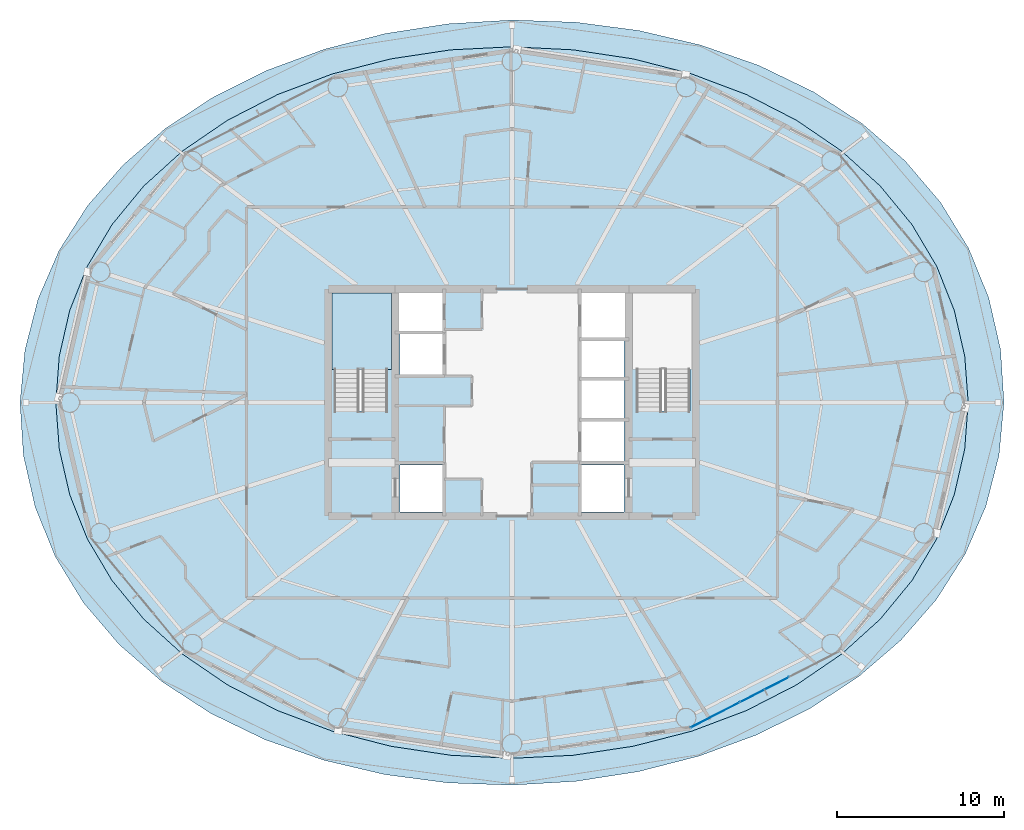
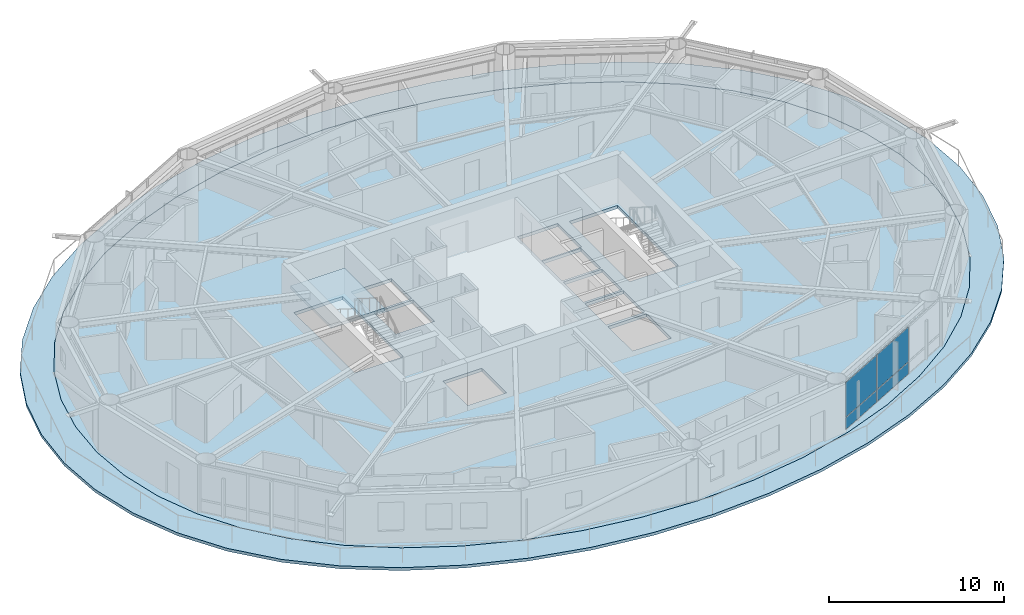
# One storey, part 18 of 28: 4 plates, 3 slabs, 2 elements without a shape of their own.
"""IFC4 building model written with IfcOpenShell, lengths in metres."""

from ifc_helpers import new_model, si_unit, direction, frame, origin, origin_2d, place, context, subcontext, project, spatial, polyline, rectangle, outline, extrude, material, layer, layer_set, type_object, element, aggregate, save


model = new_model("IFC4")

# Units and contexts
model_context = context("Model", 3, precision=1e-05, world=origin(), true_north=direction((0.0, 1.0)))
body_context = subcontext(model_context, "Body", "Model", "MODEL_VIEW")
ifc_project = project(units=[si_unit("LENGTHUNIT", "METRE"), si_unit("AREAUNIT", "SQUARE_METRE"), si_unit("VOLUMEUNIT", "CUBIC_METRE"), si_unit("PLANEANGLEUNIT", "RADIAN"), si_unit("MASSUNIT", "GRAM", prefix="KILO")], contexts=[model_context])

# Site, building, storey
site_placement = place(None, origin())
site = spatial("IfcSite", under=ifc_project, at=site_placement, CompositionType="ELEMENT")
building_placement = place(site_placement, origin())
building = spatial("IfcBuilding", under=site, at=building_placement, Name="Sarneth Arch Tower", CompositionType="ELEMENT")
storey_placement = place(building_placement, frame((0.0, 0.0, 190.199951171875)))
storey = spatial("IfcBuildingStorey", under=building, at=storey_placement, Name="L48", CompositionType="ELEMENT", Elevation=190.199951171875)

# Curtain wall, plates
ifc_material_1 = material(Name="Anodised aluminium Type AA25 and solar-control low-e laminated IGU", Category="aluminium")
ifc_layer_1 = layer(ifc_material_1, 0.169921875)
ifc_layer_set_1 = layer_set([ifc_layer_1], Name="Anodised aluminium Type AA25 and solar-control low-e laminated IGU")
curtain_wall_type = type_object("IfcCurtainWallType", Name="CW-RES-MID", PredefinedType="NOTDEFINED", material=ifc_layer_set_1)
curtain_wall_placement = place(storey_placement, origin())
curtain_wall = element("IfcCurtainWall", 1, at=curtain_wall_placement, inside=storey, type_object=curtain_wall_type, Name="L48 Unitised curtain wall facet 14", PredefinedType="NOTDEFINED")
ifc_material_2 = material(Name="Solar-control low-e laminated IGU", Category="glass")
ifc_layer_2 = layer(ifc_material_2, 0.028076171875)
ifc_layer_set_2 = layer_set([ifc_layer_2], Name="Solar-control low-e laminated IGU")
plate_type = type_object("IfcPlateType", Name="CW-PANEL", PredefinedType="CURTAIN_PANEL", material=ifc_layer_set_2)
plate_1_placement = place(storey_placement, frame((60.16162109375, 23.29296875, 0.06005859375), z_axis=(0.0, 0.0, 1.0), x_axis=(0.88987293003, 0.456208470329, 0.0)))
plate_1 = element("IfcPlate", 2, at=plate_1_placement, type_object=plate_type, Name="Curtain wall glazed vision pane CW-L48-F14/P00-00", PredefinedType="CURTAIN_PANEL", context=body_context, shape_type="SweptSolid", body=[
    extrude(rectangle(XDim=3.248779296875, YDim=0.028076171875, at=origin_2d()), origin(), (0.0, 0.0, 1.0), 0.81005859375),
])
plate_2_placement = place(storey_placement, frame((60.16162109375, 23.29296875, 0.93017578125), z_axis=(0.0, 0.0, 1.0), x_axis=(0.88987293003, 0.456208470329, 0.0)))
plate_2 = element("IfcPlate", 3, at=plate_2_placement, type_object=plate_type, Name="Curtain wall glazed vision pane CW-L48-F14/P00-01", PredefinedType="CURTAIN_PANEL", context=body_context, shape_type="SweptSolid", body=[
    extrude(rectangle(XDim=3.248779296875, YDim=0.028076171875, at=origin_2d()), origin(), (0.0, 0.0, 1.0), 2.389892578125),
])
plate_3_placement = place(storey_placement, frame((63.119384765625, 24.809326171875, 0.06005859375), z_axis=(0.0, 0.0, 1.0), x_axis=(0.88987293003, 0.456208470329, 0.0)))
plate_3 = element("IfcPlate", 4, at=plate_3_placement, type_object=plate_type, Name="Curtain wall glazed vision pane CW-L48-F14/P01-00", PredefinedType="CURTAIN_PANEL", context=body_context, shape_type="SweptSolid", body=[
    extrude(rectangle(XDim=3.27880859375, YDim=0.028076171875, at=origin_2d()), origin(), (0.0, 0.0, 1.0), 0.81005859375),
])
plate_4_placement = place(storey_placement, frame((63.119384765625, 24.809326171875, 0.93017578125), z_axis=(0.0, 0.0, 1.0), x_axis=(0.88987293003, 0.456208470329, 0.0)))
plate_4 = element("IfcPlate", 5, at=plate_4_placement, type_object=plate_type, Name="Curtain wall glazed vision pane CW-L48-F14/P01-01", PredefinedType="CURTAIN_PANEL", context=body_context, shape_type="SweptSolid", body=[
    extrude(rectangle(XDim=3.27880859375, YDim=0.028076171875, at=origin_2d()), origin(), (0.0, 0.0, 1.0), 2.389892578125),
])
aggregate(curtain_wall, [plate_1, plate_2, plate_3, plate_4])

# Slab
ifc_material_3 = material(Name="Concrete C50/60", Category="concrete")
ifc_layer_3 = layer(ifc_material_3, 0.199951171875)
ifc_layer_set_3 = layer_set([ifc_layer_3], Name="Concrete C50/60")
slab_type_1 = type_object("IfcSlabType", Name="SLAB-BALC-200", PredefinedType="FLOOR", material=ifc_layer_set_3)
slab_1_placement = place(storey_placement, frame((0.0, 0.0, -0.199951171875)))
element("IfcSlab", 6, at=slab_1_placement, inside=storey, type_object=slab_type_1, Name="L48 Helical balcony band slab", PredefinedType="FLOOR", context=body_context, shape_type="SweptSolid", body=[
    extrude(outline(polyline([(77.45751953125, 42.0), (77.254150390625, 45.163818359375), (76.548583984375, 48.261962890625), (75.347412109375, 51.219970703125), (73.665771484375, 53.976318359375), (71.527587890625, 56.4833984375), (68.967529296875, 58.70458984375), (66.033447265625, 60.6123046875), (62.78515625, 62.185302734375), (59.289794921875, 63.408447265625), (55.61669921875, 64.27197265625), (51.832763671875, 64.771240234375), (48.0, 64.905517578125), (44.176513671875, 64.677734375), (40.41943359375, 64.093994140625), (36.787109375, 63.163330078125), (33.3408203125, 61.896728515625), (30.142578125, 60.30859375), (27.251220703125, 58.414306640625), (24.7177734375, 56.232177734375), (22.5830078125, 53.78369140625), (20.876953125, 51.0947265625), (19.622314453125, 48.2001953125), (18.83837890625, 45.147216796875), (18.54248046875, 42.0), (18.745849609375, 38.836181640625), (19.451416015625, 35.738037109375), (20.652587890625, 32.780029296875), (22.334228515625, 30.023681640625), (24.472412109375, 27.5166015625), (27.032470703125, 25.29541015625), (29.966552734375, 23.3876953125), (33.21484375, 21.814697265625), (36.710205078125, 20.591552734375), (40.38330078125, 19.72802734375), (44.167236328125, 19.228759765625), (48.0, 19.094482421875), (51.823486328125, 19.322265625), (55.58056640625, 19.906005859375), (59.212890625, 20.836669921875), (62.6591796875, 22.103271484375), (65.857421875, 23.69140625), (68.748779296875, 25.585693359375), (71.2822265625, 27.767822265625), (73.4169921875, 30.21630859375), (75.123046875, 32.9052734375), (76.377685546875, 35.7998046875), (77.16162109375, 38.852783203125), (77.45751953125, 42.0)]), holes=[polyline([(75.313232421875, 42.0), (75.10595703125, 44.7802734375), (74.48095703125, 47.512939453125), (73.431396484375, 50.151123046875), (71.9521484375, 52.64990234375), (70.0458984375, 54.966552734375), (67.730712890625, 57.061279296875), (65.04052734375, 58.8984375), (62.025390625, 60.4462890625), (58.7470703125, 61.6787109375), (55.27197265625, 62.57421875), (51.667724609375, 63.11767578125), (48.0, 63.300048828125), (44.332275390625, 63.11767578125), (40.72802734375, 62.57421875), (37.2529296875, 61.6787109375), (33.974609375, 60.4462890625), (30.95947265625, 58.8984375), (28.269287109375, 57.061279296875), (25.9541015625, 54.966552734375), (24.0478515625, 52.64990234375), (22.568603515625, 50.151123046875), (21.51904296875, 47.512939453125), (20.89404296875, 44.7802734375), (20.686767578125, 42.0), (20.89404296875, 39.2197265625), (21.51904296875, 36.487060546875), (22.568603515625, 33.848876953125), (24.0478515625, 31.35009765625), (25.9541015625, 29.033447265625), (28.269287109375, 26.938720703125), (30.95947265625, 25.1015625), (33.974609375, 23.5537109375), (37.2529296875, 22.3212890625), (40.72802734375, 21.42578125), (44.332275390625, 20.88232421875), (48.0, 20.699951171875), (51.667724609375, 20.88232421875), (55.27197265625, 21.42578125), (58.7470703125, 22.3212890625), (62.025390625, 23.5537109375), (65.04052734375, 25.1015625), (67.730712890625, 26.938720703125), (70.0458984375, 29.033447265625), (71.9521484375, 31.35009765625), (73.431396484375, 33.848876953125), (74.48095703125, 36.487060546875), (75.10595703125, 39.2197265625), (75.313232421875, 42.0)])]), origin(), (0.0, 0.0, 1.0), 0.199951171875),
])

# Stair, slab
ifc_material_4 = material(Name="Concrete C50/60", Category="concrete")
stair_type = type_object("IfcStairType", Name="STAIR-CORE-RC", PredefinedType="HALF_TURN_STAIR", material=ifc_material_4)
stair_placement = place(storey_placement, origin())
stair = element("IfcStair", 7, at=stair_placement, inside=storey, type_object=stair_type, Name="L48 Core Exit Stair 1", PredefinedType="HALF_TURN_STAIR")
ifc_material_5 = material(Name="Concrete C50/60", Category="concrete")
ifc_layer_4 = layer(ifc_material_5, 0.199951171875)
ifc_layer_set_4 = layer_set([ifc_layer_4], Name="Concrete C50/60")
slab_type_2 = type_object("IfcSlabType", Name="SLAB-LANDING-200", PredefinedType="LANDING", material=ifc_layer_set_4)
slab_2_placement = place(storey_placement, frame((0.0, 0.0, 1.60009765625)))
slab_2 = element("IfcSlab", 8, at=slab_2_placement, type_object=slab_type_2, Name="ST-1 landing 1", PredefinedType="LANDING", context=body_context, shape_type="SweptSolid", body=[
    extrude(outline(polyline([(37.22509765625, 43.985107421875), (40.77490234375, 43.985107421875), (40.77490234375, 48.574951171875), (37.22509765625, 48.574951171875), (37.22509765625, 43.985107421875)])), origin(), (0.0, 0.0, 1.0), 0.199951171875),
])
aggregate(stair, [slab_2])

# Slab
ifc_material_6 = material(Name="Concrete C50/60", Category="concrete")
ifc_layer_5 = layer(ifc_material_6, 0.219970703125)
ifc_layer_set_5 = layer_set([ifc_layer_5], Name="Concrete C50/60")
slab_type_3 = type_object("IfcSlabType", Name="SLAB-TOWER-220", PredefinedType="FLOOR", material=ifc_layer_set_5)
slab_3_placement = place(storey_placement, frame((0.0, 0.0, -0.219970703125)))
element("IfcSlab", 9, at=slab_3_placement, inside=storey, type_object=slab_type_3, Name="L48 Elliptical floor slab", PredefinedType="FLOOR", context=body_context, shape_type="SweptSolid", body=[
    extrude(outline(polyline([(75.313232421875, 42.0), (75.10595703125, 44.7802734375), (74.48095703125, 47.512939453125), (73.431396484375, 50.151123046875), (71.9521484375, 52.64990234375), (70.0458984375, 54.966552734375), (67.730712890625, 57.061279296875), (65.04052734375, 58.8984375), (62.025390625, 60.4462890625), (58.7470703125, 61.6787109375), (55.27197265625, 62.57421875), (51.667724609375, 63.11767578125), (48.0, 63.300048828125), (44.332275390625, 63.11767578125), (40.72802734375, 62.57421875), (37.2529296875, 61.6787109375), (33.974609375, 60.4462890625), (30.95947265625, 58.8984375), (28.269287109375, 57.061279296875), (25.9541015625, 54.966552734375), (24.0478515625, 52.64990234375), (22.568603515625, 50.151123046875), (21.51904296875, 47.512939453125), (20.89404296875, 44.7802734375), (20.686767578125, 42.0), (20.89404296875, 39.2197265625), (21.51904296875, 36.487060546875), (22.568603515625, 33.848876953125), (24.0478515625, 31.35009765625), (25.9541015625, 29.033447265625), (28.269287109375, 26.938720703125), (30.95947265625, 25.1015625), (33.974609375, 23.5537109375), (37.2529296875, 22.3212890625), (40.72802734375, 21.42578125), (44.332275390625, 20.88232421875), (48.0, 20.699951171875), (51.667724609375, 20.88232421875), (55.27197265625, 21.42578125), (58.7470703125, 22.3212890625), (62.025390625, 23.5537109375), (65.04052734375, 25.1015625), (67.730712890625, 26.938720703125), (70.0458984375, 29.033447265625), (71.9521484375, 31.35009765625), (73.431396484375, 33.848876953125), (74.48095703125, 36.487060546875), (75.10595703125, 39.2197265625), (75.313232421875, 42.0)]), holes=[polyline([(37.35009765625, 41.489990234375), (40.550048828125, 41.489990234375), (40.550048828125, 48.39990234375), (37.35009765625, 48.39990234375), (37.35009765625, 41.489990234375)]), polyline([(55.449951171875, 41.489990234375), (58.64990234375, 41.489990234375), (58.64990234375, 48.39990234375), (55.449951171875, 48.39990234375), (55.449951171875, 41.489990234375)]), polyline([(41.199951171875, 46.25), (43.85009765625, 46.25), (43.85009765625, 48.550048828125), (41.199951171875, 48.550048828125), (41.199951171875, 46.25)]), polyline([(41.300048828125, 35.449951171875), (43.85009765625, 35.449951171875), (43.85009765625, 38.25), (41.300048828125, 38.25), (41.300048828125, 35.449951171875)]), polyline([(52.14990234375, 35.449951171875), (54.699951171875, 35.449951171875), (54.699951171875, 38.25), (52.14990234375, 38.25), (52.14990234375, 35.449951171875)]), polyline([(52.14990234375, 45.85009765625), (54.800048828125, 45.85009765625), (54.800048828125, 48.550048828125), (52.14990234375, 48.550048828125), (52.14990234375, 45.85009765625)]), polyline([(41.300048828125, 43.64990234375), (43.85009765625, 43.64990234375), (43.85009765625, 46.10009765625), (41.300048828125, 46.10009765625), (41.300048828125, 43.64990234375)]), polyline([(52.14990234375, 38.449951171875), (54.699951171875, 38.449951171875), (54.699951171875, 40.89990234375), (52.14990234375, 40.89990234375), (52.14990234375, 38.449951171875)]), polyline([(52.14990234375, 41.050048828125), (54.699951171875, 41.050048828125), (54.699951171875, 43.35009765625), (52.14990234375, 43.35009765625), (52.14990234375, 41.050048828125)]), polyline([(52.14990234375, 43.5), (54.699951171875, 43.5), (54.699951171875, 45.75), (52.14990234375, 45.75), (52.14990234375, 43.5)])]), origin(), (0.0, 0.0, 1.0), 0.219970703125),
])

save(model, "model.ifc")
